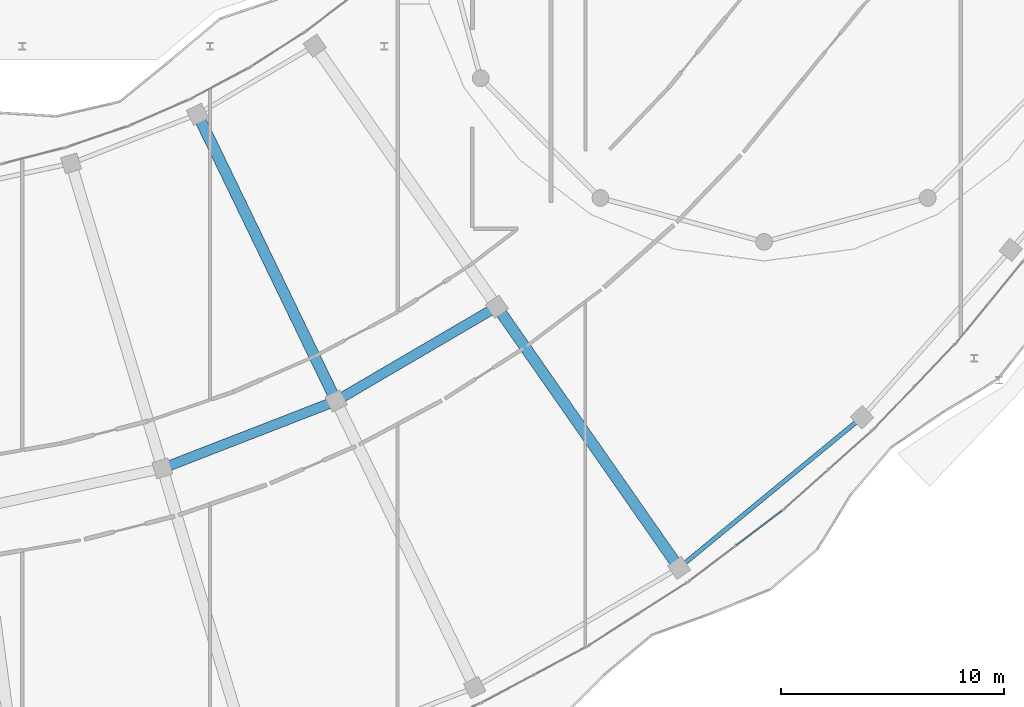
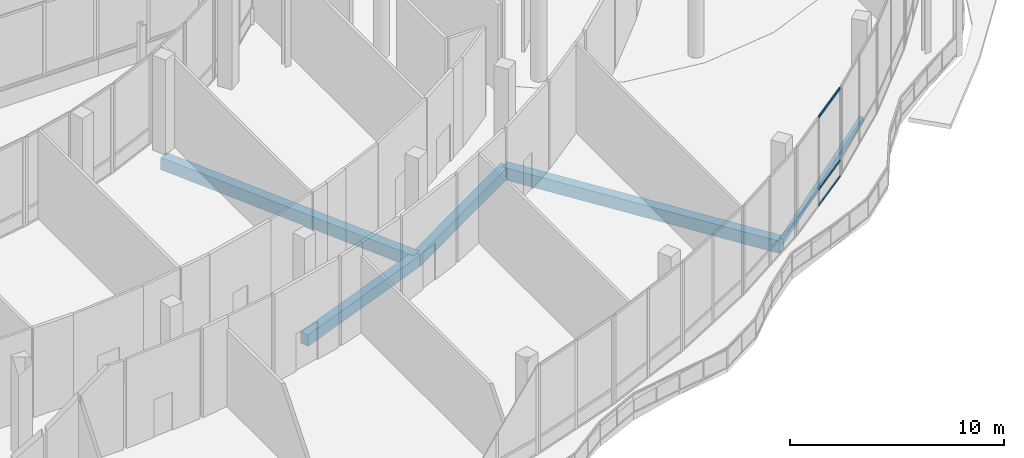
# One storey, part 47 of 158: 5 beams, 3 members, 1 element without a shape of its own.
"""IFC4 building model written with IfcOpenShell, lengths in metres."""

from ifc_helpers import new_model, si_unit, direction, frame, origin, origin_2d, place, context, subcontext, project, spatial, rectangle, hollow_rectangle, extrude, material, material_profile, profile_set, type_object, element, aggregate, save


model = new_model("IFC4")

# Units and contexts
model_context = context("Model", 3, precision=1e-05, world=origin(), true_north=direction((0.0, 1.0)))
body_context = subcontext(model_context, "Body", "Model", "MODEL_VIEW")
ifc_project = project(units=[si_unit("LENGTHUNIT", "METRE"), si_unit("AREAUNIT", "SQUARE_METRE"), si_unit("VOLUMEUNIT", "CUBIC_METRE"), si_unit("PLANEANGLEUNIT", "RADIAN"), si_unit("MASSUNIT", "GRAM", prefix="KILO")], contexts=[model_context])

# Site, building, storey
site_placement = place(None, origin())
site = spatial("IfcSite", under=ifc_project, at=site_placement, CompositionType="ELEMENT")
building_placement = place(site_placement, origin())
building = spatial("IfcBuilding", under=site, at=building_placement, Name="Selatvlak General Hospital", CompositionType="ELEMENT")
storey_placement = place(building_placement, origin())
storey = spatial("IfcBuildingStorey", under=building, at=storey_placement, Name="L00", CompositionType="ELEMENT", Elevation=0.0)

# Beams
ifc_material_1 = material(Name="Concrete C40/50", Category="concrete")
ifc_material_profile_1 = material_profile(ifc_material_1, rectangle(XDim=0.5, YDim=0.699951171875, at=origin_2d()), Name="RC-BM 500x700")
ifc_profile_set_1 = profile_set([ifc_material_profile_1], Name="Concrete C40/50")
beam_type_1 = type_object("IfcBeamType", Name="BM-G03", PredefinedType="BEAM", material=ifc_profile_set_1)
for number, where, z_axis, x_axis, name in (
    (1, (72.639892578125, 45.06005859375, -0.699951171875), (0.435222358934, -0.900322996643, 0.0), (0.900322996643, 0.435222358934, 0.0), "Beam BMR-L00-0347"),
    (2, (86.041015625, 36.444091796875, -0.699951171875), (0.572196870903, -0.820116297198, 0.0), (0.820116297198, 0.572196870903, 0.0), "Beam BMR-L00-0350"),
):
    element("IfcBeam", number, at=place(storey_placement, frame(where, z_axis=z_axis, x_axis=x_axis)), inside=storey, type_object=beam_type_1, Name=name, PredefinedType="BEAM", context=body_context, shape_type="SweptSolid", body=[
        extrude(rectangle(XDim=0.5, YDim=0.699951171875, at=origin_2d()), origin(), (0.0, 0.0, 1.0), 14.25048828125),
    ])
ifc_material_profile_2 = material_profile(ifc_material_1, rectangle(XDim=0.449951171875, YDim=0.64990234375, at=origin_2d()), Name="RC-BM 450x650")
ifc_profile_set_2 = profile_set([ifc_material_profile_2], Name="Concrete C40/50")
beam_type_2 = type_object("IfcBeamType", Name="BM-G04", PredefinedType="BEAM", material=ifc_profile_set_2)
beam_1_placement = place(storey_placement, frame((71.06689453125, 29.208984375, -0.675048828125), z_axis=(0.932112837016, 0.362167998406, 0.0), x_axis=(-0.362167998406, 0.932112837016, 0.0)))
element("IfcBeam", 3, at=beam_1_placement, inside=storey, type_object=beam_type_2, Name="Beam BMR-L00-0367", PredefinedType="BEAM", context=body_context, shape_type="SweptSolid", body=[
    extrude(rectangle(XDim=0.449951171875, YDim=0.64990234375, at=origin_2d()), origin(), (0.0, 0.0, 1.0), 8.34130859375),
])
beam_2_placement = place(storey_placement, frame((78.842041015625, 32.22998046875, -0.675048828125), z_axis=(0.863010423481, 0.505186113193, 0.0), x_axis=(-0.505186113193, 0.863010423481, 0.0)))
element("IfcBeam", 4, at=beam_2_placement, inside=storey, type_object=beam_type_2, Name="Beam BMR-L00-0368", PredefinedType="BEAM", context=body_context, shape_type="SweptSolid", body=[
    extrude(rectangle(XDim=0.449951171875, YDim=0.64990234375, at=origin_2d()), origin(), (0.0, 0.0, 1.0), 8.341796875),
])
ifc_material_2 = material(Name="Steel S355", Category="steel")
ifc_material_profile_3 = material_profile(ifc_material_2, hollow_rectangle(XDim=0.199951171875, YDim=0.300048828125, WallThickness=0.011962890625, at=origin_2d()), Name="RHS 300x200x12")
ifc_profile_set_3 = profile_set([ifc_material_profile_3], Name="Steel S355")
beam_type_3 = type_object("IfcBeamType", Name="BM-SP3", PredefinedType="SPANDREL", material=ifc_profile_set_3)
beam_3_placement = place(storey_placement, frame((94.195068359375, 24.757080078125, -0.5), z_axis=(0.772071758835, 0.635535364248, 0.0), x_axis=(-0.635535364248, 0.772071758835, 0.0)))
element("IfcBeam", 5, at=beam_3_placement, inside=storey, type_object=beam_type_3, Name="Beam BMR-L00-0375", PredefinedType="SPANDREL", context=body_context, shape_type="SweptSolid", body=[
    extrude(hollow_rectangle(XDim=0.199951171875, YDim=0.300048828125, WallThickness=0.011962890625, at=origin_2d()), origin(), (0.0, 0.0, 1.0), 10.605224609375),
])

# Curtain wall, members
ifc_material_3 = material(Name="Solar-control Low-E double glazing", Category="glass")
curtain_wall_type = type_object("IfcCurtainWallType", Name="CW-CW-02", PredefinedType="USERDEFINED", material=ifc_material_3)
curtain_wall_placement = place(storey_placement, origin())
curtain_wall = element("IfcCurtainWall", 6, at=curtain_wall_placement, inside=storey, type_object=curtain_wall_type, Name="Glazed facade curtain wall CW-L00-0046", ObjectType="UNITISED CURTAIN WALL", PredefinedType="USERDEFINED")
ifc_material_4 = material(Name="Dark anodised aluminium mullion", Category="aluminium")
ifc_material_profile_4 = material_profile(ifc_material_4, hollow_rectangle(XDim=0.06494140625, YDim=0.1201171875, WallThickness=0.00390625, at=origin_2d()), Name="AL-TRN 65x120x4")
ifc_profile_set_4 = profile_set([ifc_material_profile_4], Name="Dark anodised aluminium mullion")
member_type = type_object("IfcMemberType", Name="CWT-01", PredefinedType="USERDEFINED", material=ifc_profile_set_4)
member_1_placement = place(storey_placement, frame((98.797119140625, 27.309814453125, 0.032470703125), z_axis=(-0.796535238332, -0.604592105552, 0.0), x_axis=(0.604592105552, -0.796535238332, 0.0)))
member_1 = element("IfcMember", 7, at=member_1_placement, type_object=member_type, Name="CW-02 transom 1.1", ObjectType="TRANSOM", PredefinedType="USERDEFINED", context=body_context, shape_type="SweptSolid", body=[
    extrude(hollow_rectangle(XDim=0.06494140625, YDim=0.1201171875, WallThickness=0.00390625, at=origin_2d()), origin(), (0.0, 0.0, 1.0), 2.54638671875),
])
member_2_placement = place(storey_placement, frame((98.797119140625, 27.309814453125, 0.949951171875), z_axis=(-0.796535238332, -0.604592105552, 0.0), x_axis=(0.604592105552, -0.796535238332, 0.0)))
member_2 = element("IfcMember", 8, at=member_2_placement, type_object=member_type, Name="CW-02 transom 1.2", ObjectType="TRANSOM", PredefinedType="USERDEFINED", context=body_context, shape_type="SweptSolid", body=[
    extrude(hollow_rectangle(XDim=0.06494140625, YDim=0.1201171875, WallThickness=0.00390625, at=origin_2d()), origin(), (0.0, 0.0, 1.0), 2.54638671875),
])
member_3_placement = place(storey_placement, frame((98.797119140625, 27.309814453125, 5.047607421875), z_axis=(-0.796535238332, -0.604592105552, 0.0), x_axis=(0.604592105552, -0.796535238332, 0.0)))
member_3 = element("IfcMember", 9, at=member_3_placement, type_object=member_type, Name="CW-02 transom 1.3", ObjectType="TRANSOM", PredefinedType="USERDEFINED", context=body_context, shape_type="SweptSolid", body=[
    extrude(hollow_rectangle(XDim=0.06494140625, YDim=0.1201171875, WallThickness=0.00390625, at=origin_2d()), origin(), (0.0, 0.0, 1.0), 2.54638671875),
])
aggregate(curtain_wall, [member_1, member_2, member_3])

save(model, "model.ifc")
